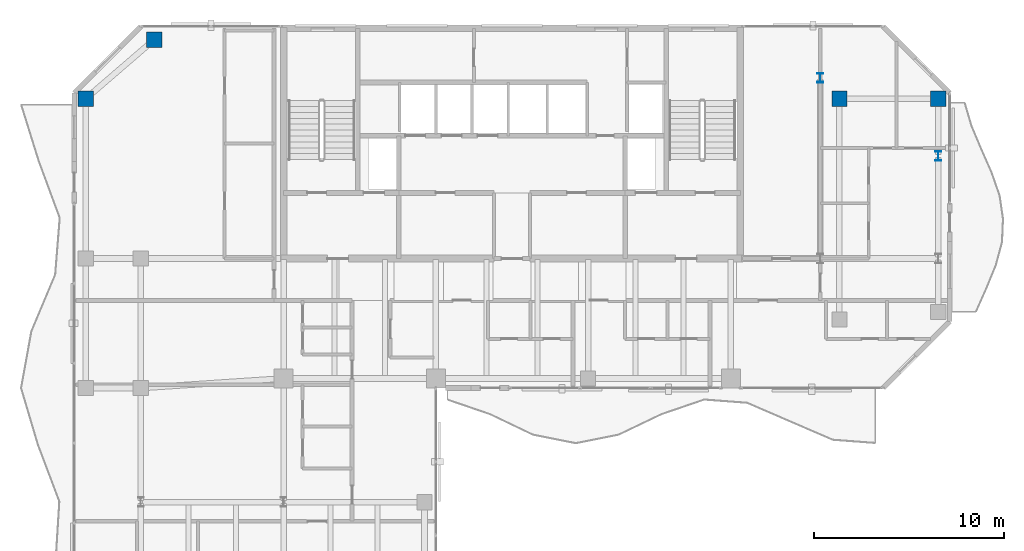
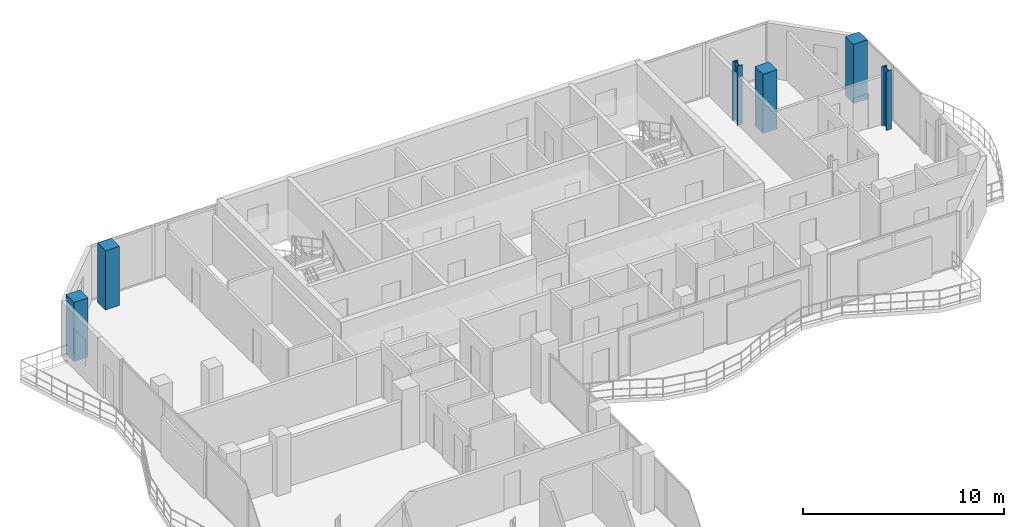
# One storey, part 2 of 23: 6 columns.
"""IFC4 building model written with IfcOpenShell, lengths in metres."""

from ifc_helpers import new_model, si_unit, direction, frame, origin, origin_2d, place, context, subcontext, project, spatial, rectangle, i_section, extrude, material, material_profile, profile_set, type_object, element, save


model = new_model("IFC4")

# Units and contexts
model_context = context("Model", 3, precision=1e-05, world=origin(), true_north=direction((0.0, 1.0)))
body_context = subcontext(model_context, "Body", "Model", "MODEL_VIEW")
ifc_project = project(units=[si_unit("LENGTHUNIT", "METRE"), si_unit("AREAUNIT", "SQUARE_METRE"), si_unit("VOLUMEUNIT", "CUBIC_METRE"), si_unit("PLANEANGLEUNIT", "RADIAN"), si_unit("MASSUNIT", "GRAM", prefix="KILO")], contexts=[model_context])

# Site, building, storey
site_placement = place(None, origin())
site = spatial("IfcSite", under=ifc_project, at=site_placement, CompositionType="ELEMENT")
building_placement = place(site_placement, origin())
building = spatial("IfcBuilding", under=site, at=building_placement, Name="Catumbela Crestline Tower", CompositionType="ELEMENT")
storey_placement = place(building_placement, frame((0.0, 0.0, 183.0)))
storey = spatial("IfcBuildingStorey", under=building, at=storey_placement, Name="L47", CompositionType="ELEMENT", Elevation=183.0)

# Columns
ifc_material_1 = material(Name="Concrete C50/60", Category="concrete")
ifc_material_profile_1 = material_profile(ifc_material_1, rectangle(XDim=0.8, YDim=0.8, at=origin_2d()), Name="RC 800x800")
ifc_profile_set_1 = profile_set([ifc_material_profile_1], Name="Concrete C50/60")
column_type_1 = type_object("IfcColumnType", Name="C-RC800-C50", PredefinedType="COLUMN", material=ifc_profile_set_1)
for number, where, z_axis, x_axis, name in (
    (1, (5.6, 39.2, 0.0), (0.0, 0.0, 1.0), (1.0, 0.0, 0.0), "L47 Column C-05-43 (RC 800x800)"),
    (2, (9.2, 42.3, 0.0), (0.0, 0.0, 1.0), (1.0, 0.0, 0.0), "L47 Column C-08-43 (RC 800x800)"),
    (3, (45.2, 39.2, 0.0), (0.0, 0.0, 1.0), (1.0, 0.0, 0.0), "L47 Column C-46-43 (RC 800x800)"),
    (4, (50.4, 39.2, 0.0), (0.0, 0.0, 1.0), (1.0, 0.0, 0.0), "L47 Column C-51-43 (RC 800x800)"),
):
    element("IfcColumn", number, at=place(storey_placement, frame(where, z_axis=z_axis, x_axis=x_axis)), inside=storey, type_object=column_type_1, Name=name, PredefinedType="COLUMN", context=body_context, shape_type="SweptSolid", body=[
        extrude(rectangle(XDim=0.8, YDim=0.8, at=origin_2d()), origin(), (0.0, 0.0, 1.0), 3.6),
    ])
ifc_material_2 = material(Name="Structural steel S355J2", Category="steel")
ifc_material_profile_2 = material_profile(ifc_material_2, i_section(OverallWidth=0.3, OverallDepth=0.5, WebThickness=0.0145, FlangeThickness=0.028, FilletRadius=0.027, at=origin_2d()), Name="HEB 500")
ifc_profile_set_2 = profile_set([ifc_material_profile_2], Name="Structural steel S355J2")
column_type_2 = type_object("IfcColumnType", Name="C-ST-HEB500", PredefinedType="COLUMN", material=ifc_profile_set_2)
for number, where, z_axis, x_axis, name in (
    (5, (44.2, 40.3, 0.0), (0.0, 0.0, 1.0), (1.0, 0.0, 0.0), "L47 Column CT-46-37 (HEB 500)"),
    (6, (50.4, 36.2, 0.0), (0.0, 0.0, 1.0), (1.0, 0.0, 0.0), "L47 Column CT-51-37 (HEB 500)"),
):
    element("IfcColumn", number, at=place(storey_placement, frame(where, z_axis=z_axis, x_axis=x_axis)), inside=storey, type_object=column_type_2, Name=name, PredefinedType="COLUMN", context=body_context, shape_type="SweptSolid", body=[
        extrude(i_section(OverallWidth=0.3, OverallDepth=0.5, WebThickness=0.0145, FlangeThickness=0.028, FilletRadius=0.027, at=origin_2d()), origin(), (0.0, 0.0, 1.0), 3.6),
    ])

save(model, "model.ifc")
